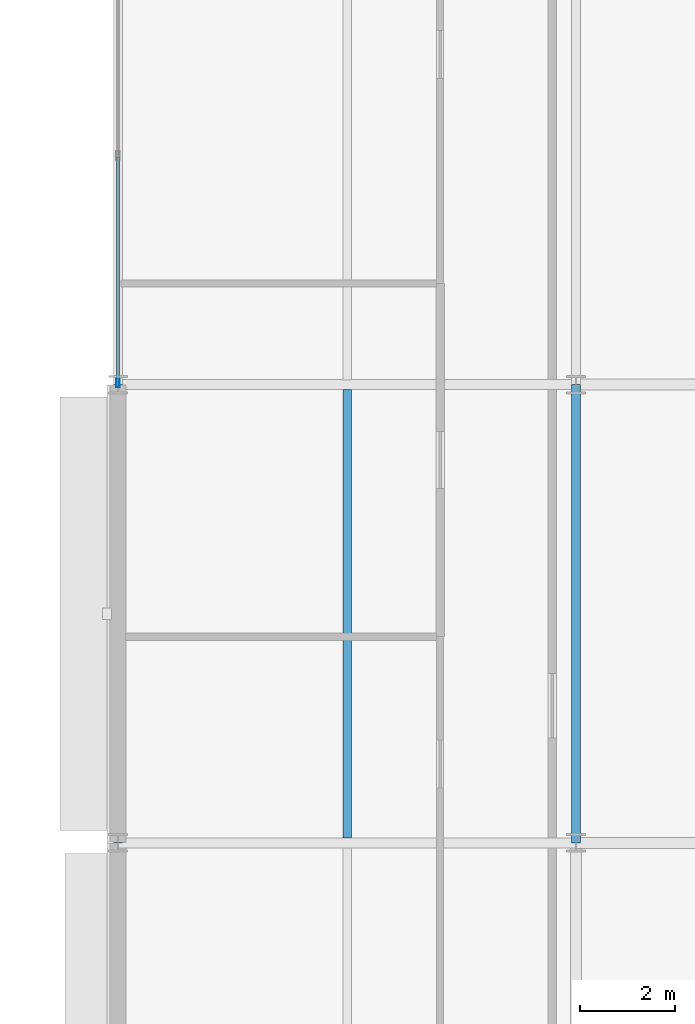
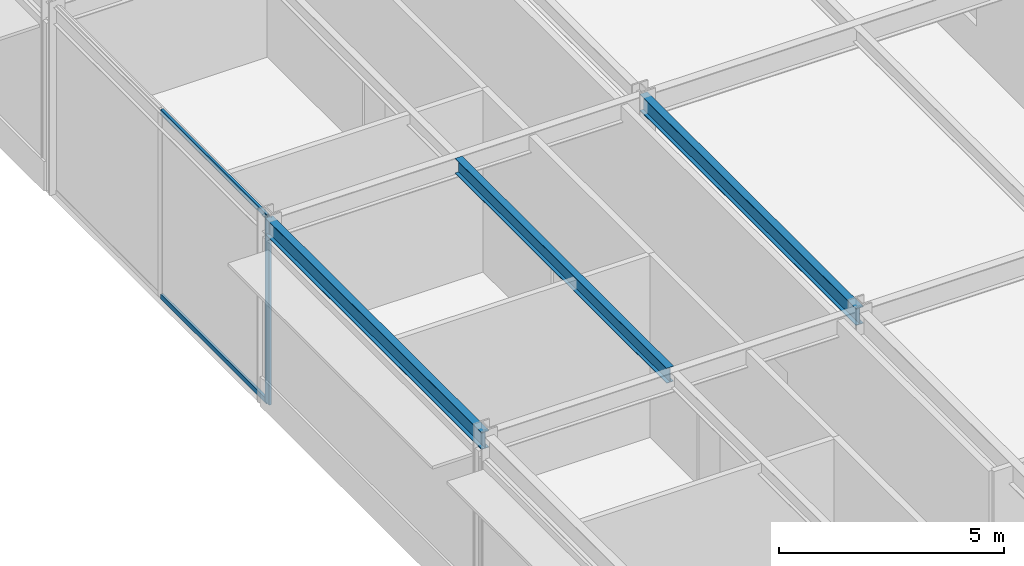
# One storey, part 105 of 168: 3 beams, 3 members, 1 element without a shape of its own.
"""IFC4 building model written with IfcOpenShell, lengths in metres."""

from ifc_helpers import new_model, si_unit, direction, frame, origin, origin_2d, place, context, subcontext, project, spatial, hollow_rectangle, i_section, extrude, material, material_profile, profile_set, type_object, element, aggregate, save


model = new_model("IFC4")

# Units and contexts
model_context = context("Model", 3, precision=1e-05, world=origin(), true_north=direction((0.0, 1.0)))
body_context = subcontext(model_context, "Body", "Model", "MODEL_VIEW")
ifc_project = project(units=[si_unit("LENGTHUNIT", "METRE"), si_unit("AREAUNIT", "SQUARE_METRE"), si_unit("VOLUMEUNIT", "CUBIC_METRE"), si_unit("PLANEANGLEUNIT", "RADIAN"), si_unit("MASSUNIT", "GRAM", prefix="KILO")], contexts=[model_context])

# Site, building, storey
site_placement = place(None, origin())
site = spatial("IfcSite", under=ifc_project, at=site_placement, CompositionType="ELEMENT")
building_placement = place(site_placement, origin())
building = spatial("IfcBuilding", under=site, at=building_placement, Name="Almandine Court Research Institute", CompositionType="ELEMENT")
storey_placement = place(building_placement, origin())
storey = spatial("IfcBuildingStorey", under=building, at=storey_placement, Name="L00", CompositionType="ELEMENT", Elevation=0.0)

# Beams
ifc_material_1 = material(Name="Steel ASTM A992 Grade 50", Category="steel")
ifc_material_profile_1 = material_profile(ifc_material_1, i_section(OverallWidth=0.18994140625, OverallDepth=0.45703125, WebThickness=0.009033203125, FlangeThickness=0.014892578125, at=origin_2d()), Name="W460x74")
ifc_profile_set_1 = profile_set([ifc_material_profile_1], Name="Steel ASTM A992 Grade 50")
beam_type_1 = type_object("IfcBeamType", Name="Beam-B-01", PredefinedType="BEAM", material=ifc_profile_set_1)
for number, where, z_axis, x_axis, name in (
    (1, (153.60009765625, 84.0, 4.841064453125), (0.0, 1.0, 0.0), (-1.0, 0.0, 0.0), "L00 V4 Primary Y Girder"),
    (2, (163.199951171875, 84.0, 4.841064453125), (0.0, 1.0, 0.0), (-1.0, 0.0, 0.0), "L00 V4 Primary Y Girder"),
):
    element("IfcBeam", number, at=place(storey_placement, frame(where, z_axis=z_axis, x_axis=x_axis)), inside=storey, type_object=beam_type_1, Name=name, PredefinedType="BEAM", context=body_context, shape_type="SweptSolid", body=[
        extrude(i_section(OverallWidth=0.18994140625, OverallDepth=0.45703125, WebThickness=0.009033203125, FlangeThickness=0.014892578125, at=origin_2d()), origin(), (0.0, 0.0, 1.0), 9.60009765625),
    ])
ifc_material_profile_2 = material_profile(ifc_material_1, i_section(OverallWidth=0.178955078125, OverallDepth=0.409912109375, WebThickness=0.009033203125, FlangeThickness=0.013916015625, at=origin_2d()), Name="W410x67")
ifc_profile_set_2 = profile_set([ifc_material_profile_2], Name="Steel ASTM A992 Grade 50")
beam_type_2 = type_object("IfcBeamType", Name="Beam-B-02", PredefinedType="JOIST", material=ifc_profile_set_2)
beam_placement = place(storey_placement, frame((158.39990234375, 84.10302734375, 4.864990234375), z_axis=(0.0, 1.0, 0.0), x_axis=(-1.0, 0.0, 0.0)))
element("IfcBeam", 3, at=beam_placement, inside=storey, type_object=beam_type_2, Name="L00 V4 Composite Secondary Beam", PredefinedType="JOIST", context=body_context, shape_type="SweptSolid", body=[
    extrude(i_section(OverallWidth=0.178955078125, OverallDepth=0.409912109375, WebThickness=0.009033203125, FlangeThickness=0.013916015625, at=origin_2d()), origin(), (0.0, 0.0, 1.0), 9.39306640625),
])

# Curtain wall, members
ifc_material_2 = material(Name="Unitised Curtain Wall Framing and Solar Glazing", Category="glass")
curtain_wall_type = type_object("IfcCurtainWallType", Name="CW-CWJ-13", PredefinedType="USERDEFINED", material=ifc_material_2)
curtain_wall_placement = place(storey_placement, origin())
curtain_wall = element("IfcCurtainWall", 4, at=curtain_wall_placement, inside=storey, type_object=curtain_wall_type, Name="L00 Wet Lab West Courtyard Jali Curtain Wall 7", ObjectType="SOLAR JALI SCREEN", PredefinedType="USERDEFINED")
ifc_material_3 = material(Name="Anodised Aluminium AW-6063-T6", Category="aluminium")
ifc_material_profile_3 = material_profile(ifc_material_3, hollow_rectangle(XDim=0.06494140625, YDim=0.179931640625, WallThickness=0.00390625, at=origin_2d()), Name="ALU RHS 65x180x4")
ifc_profile_set_3 = profile_set([ifc_material_profile_3], Name="Anodised Aluminium AW-6063-T6")
member_type_1 = type_object("IfcMemberType", Name="CWMul-65x180", PredefinedType="MULLION", material=ifc_profile_set_3)
member_1_placement = place(storey_placement, frame((153.60009765625, 93.636474609375, 0.0), z_axis=(0.0, 0.0, 1.0), x_axis=(-1.0, 0.0, 0.0)))
member_1 = element("IfcMember", 5, at=member_1_placement, type_object=member_type_1, Name="CWJ-13 mullion 1", PredefinedType="MULLION", context=body_context, shape_type="SweptSolid", body=[
    extrude(hollow_rectangle(XDim=0.06494140625, YDim=0.179931640625, WallThickness=0.00390625, at=origin_2d()), origin(), (0.0, 0.0, 1.0), 5.070068359375),
])
ifc_material_profile_4 = material_profile(ifc_material_3, hollow_rectangle(XDim=0.06494140625, YDim=0.1298828125, WallThickness=0.00390625, at=origin_2d()), Name="ALU RHS 65x130x4")
ifc_profile_set_4 = profile_set([ifc_material_profile_4], Name="Anodised Aluminium AW-6063-T6")
member_type_2 = type_object("IfcMemberType", Name="CWTrn-65x130", PredefinedType="NOTDEFINED", material=ifc_profile_set_4)
member_2_placement = place(storey_placement, frame((153.60009765625, 93.6689453125, 0.032470703125), z_axis=(0.0, 1.0, 0.0), x_axis=(-1.0, 0.0, 0.0)))
member_2 = element("IfcMember", 6, at=member_2_placement, type_object=member_type_2, Name="CWJ-13 transom 1.1", ObjectType="TRANSOM", PredefinedType="USERDEFINED", context=body_context, shape_type="SweptSolid", body=[
    extrude(hollow_rectangle(XDim=0.06494140625, YDim=0.1298828125, WallThickness=0.00390625, at=origin_2d()), origin(), (0.0, 0.0, 1.0), 4.698486328125),
])
member_3_placement = place(storey_placement, frame((153.60009765625, 93.6689453125, 5.03759765625), z_axis=(0.0, 1.0, 0.0), x_axis=(-1.0, 0.0, 0.0)))
member_3 = element("IfcMember", 7, at=member_3_placement, type_object=member_type_2, Name="CWJ-13 transom 1.2", ObjectType="TRANSOM", PredefinedType="USERDEFINED", context=body_context, shape_type="SweptSolid", body=[
    extrude(hollow_rectangle(XDim=0.06494140625, YDim=0.1298828125, WallThickness=0.00390625, at=origin_2d()), origin(), (0.0, 0.0, 1.0), 4.698486328125),
])
aggregate(curtain_wall, [member_1, member_2, member_3])

save(model, "model.ifc")
